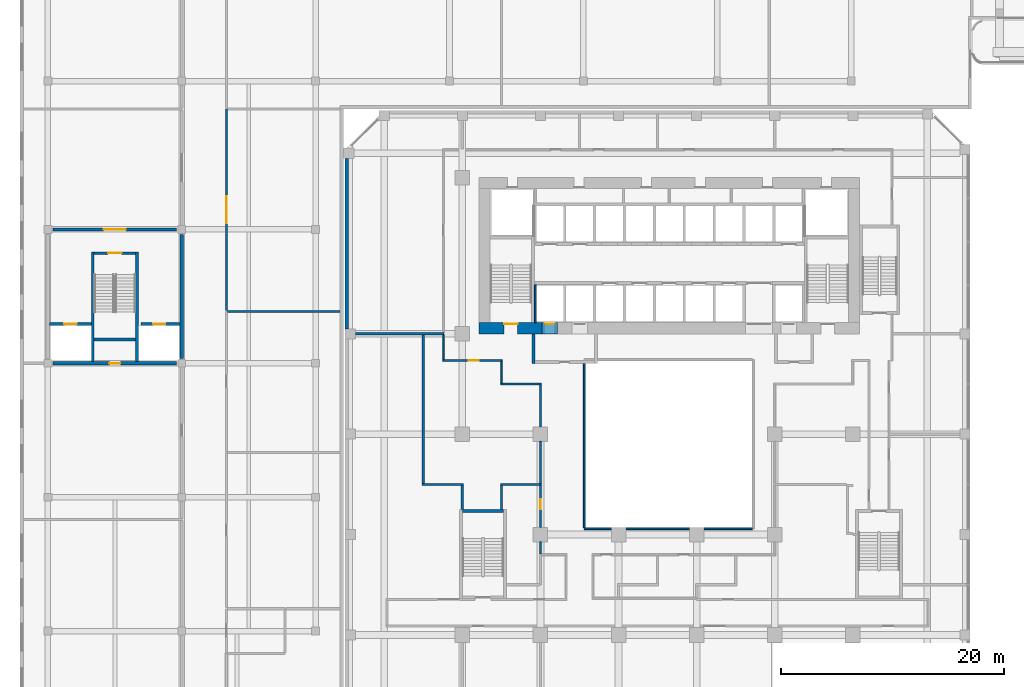
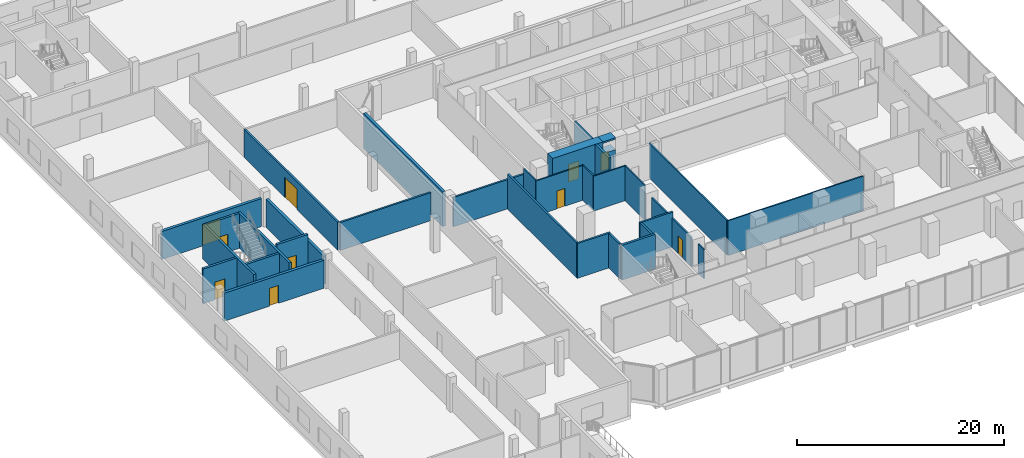
# One storey, part 17 of 36: 34 walls, 10 doors, 10 openings.
"""IFC4 building model written with IfcOpenShell, lengths in metres."""

from ifc_helpers import new_model, si_unit, direction, frame, frame_2d, origin, place, context, subcontext, project, spatial, rectangle, extrude, source, transform, mapped, material, layer, layer_set, type_object, element, fill, save


model = new_model("IFC4")

# Units and contexts
model_context = context("Model", 3, precision=1e-05, world=origin(), true_north=direction((0.0, 1.0)))
body_context = subcontext(model_context, "Body", "Model", "MODEL_VIEW")
ifc_project = project(units=[si_unit("LENGTHUNIT", "METRE"), si_unit("AREAUNIT", "SQUARE_METRE"), si_unit("VOLUMEUNIT", "CUBIC_METRE"), si_unit("PLANEANGLEUNIT", "RADIAN"), si_unit("MASSUNIT", "GRAM", prefix="KILO")], contexts=[model_context])

# Site, building, storey
site_placement = place(None, origin())
site = spatial("IfcSite", under=ifc_project, at=site_placement, CompositionType="ELEMENT")
building_placement = place(site_placement, origin())
building = spatial("IfcBuilding", under=site, at=building_placement, Name="Kilnfold Tower and Market Hall", CompositionType="ELEMENT")
storey_placement = place(building_placement, frame((0.0, 0.0, 18.0)))
storey = spatial("IfcBuildingStorey", under=building, at=storey_placement, Name="L03", CompositionType="ELEMENT", Elevation=18.0)

# Walls
ifc_material_1 = material(Name="Fire-resisting glazed screen")
ifc_layer_1 = layer(ifc_material_1, 0.14990234375)
ifc_layer_set_1 = layer_set([ifc_layer_1], Name="Fire-resisting glazed screen")
wall_type_1 = type_object("IfcWallType", Name="WALL ATRIUM 150", PredefinedType="PARTITIONING", material=ifc_layer_set_1)
wall_1_placement = place(storey_placement, frame((8.5, -9.47509765625, 0.0), z_axis=(0.0, 0.0, 1.0), x_axis=(-1.0, 0.0, 0.0)))
element("IfcWall", 1, at=wall_1_placement, inside=storey, type_object=wall_type_1, Name="Partition LY04.66", PredefinedType="PARTITIONING", context=body_context, shape_type="SweptSolid", body=[
    extrude(rectangle(XDim=15.074951171875, YDim=0.14990234375, at=frame_2d((7.53759765625, 0.0))), origin(), (0.0, 0.0, 1.0), 4.10009765625),
])
wall_2_placement = place(storey_placement, frame((-6.574951171875, -9.39990234375, 0.0), z_axis=(0.0, 0.0, 1.0), x_axis=(0.0, 1.0, 0.0)))
element("IfcWall", 2, at=wall_2_placement, inside=storey, type_object=wall_type_1, Name="Partition LY04.67", PredefinedType="PARTITIONING", context=body_context, shape_type="SweptSolid", body=[
    extrude(rectangle(XDim=15.0, YDim=0.14990234375, at=frame_2d((7.5, 0.0))), origin(), (0.0, 0.0, 1.0), 4.10009765625),
])
ifc_material_2 = material(Name="Gypsum board on steel studs", Category="steel")
ifc_layer_2 = layer(ifc_material_2, 0.14990234375)
ifc_layer_set_2 = layer_set([ifc_layer_2], Name="Gypsum board on steel studs")
wall_type_2 = type_object("IfcWallType", Name="WALL CORRIDOR 150", PredefinedType="PARTITIONING", material=ifc_layer_set_2)
wall_3_placement = place(storey_placement, frame((-10.5, -5.409912109375, 0.0), z_axis=(0.0, 0.0, 1.0), x_axis=(0.0, 1.0, 0.0)))
element("IfcWall", 3, at=wall_3_placement, inside=storey, type_object=wall_type_2, Name="Partition LY04.1", PredefinedType="PARTITIONING", context=body_context, shape_type="SweptSolid", body=[
    extrude(rectangle(XDim=3.760009765625, YDim=0.14990234375, at=frame_2d((1.8798828125, 0.0))), origin(), (0.0, 0.0, 1.0), 3.449951171875),
])
wall_4_placement = place(storey_placement, frame((-10.5, -0.35009765625, 0.0), z_axis=(0.0, 0.0, 1.0), x_axis=(0.0, 1.0, 0.0)))
element("IfcWall", 4, at=wall_4_placement, inside=storey, type_object=wall_type_2, Name="Partition LY04.2", PredefinedType="PARTITIONING", context=body_context, shape_type="SweptSolid", body=[
    extrude(rectangle(XDim=3.775146484375, YDim=0.14990234375, at=frame_2d((1.8876953125, 0.0))), origin(), (0.0, 0.0, 1.0), 4.10009765625),
])
wall_5_placement = place(storey_placement, frame((-14.074951171875, 3.5, 0.0), z_axis=(0.0, 0.0, 1.0), x_axis=(1.0, 0.0, 0.0)))
element("IfcWall", 5, at=wall_5_placement, inside=storey, type_object=wall_type_2, Name="Partition LY04.3", PredefinedType="PARTITIONING", context=body_context, shape_type="SweptSolid", body=[
    extrude(rectangle(XDim=3.64990234375, YDim=0.14990234375, at=frame_2d((1.824951171875, 0.0))), origin(), (0.0, 0.0, 1.0), 4.10009765625),
])
wall_6_placement = place(storey_placement, frame((-14.0, 5.52490234375, 0.0), z_axis=(0.0, 0.0, 1.0), x_axis=(0.0, -1.0, 0.0)))
element("IfcWall", 6, at=wall_6_placement, inside=storey, type_object=wall_type_2, Name="Partition LY04.4", PredefinedType="PARTITIONING", context=body_context, shape_type="SweptSolid", body=[
    extrude(rectangle(XDim=1.949951171875, YDim=0.14990234375, at=frame_2d((0.97509765625, 0.0))), origin(), (0.0, 0.0, 1.0), 4.10009765625),
])

# Wall, opening, door
wall_7_placement = place(storey_placement, frame((-19.27490234375, 5.60009765625, 0.0), z_axis=(0.0, 0.0, 1.0), x_axis=(1.0, 0.0, 0.0)))
wall_7 = element("IfcWall", 7, at=wall_7_placement, inside=storey, type_object=wall_type_2, Name="Partition LY04.5", PredefinedType="PARTITIONING", context=body_context, shape_type="SweptSolid", body=[
    extrude(rectangle(XDim=5.349853515625, YDim=0.14990234375, at=frame_2d((2.6748046875, 0.0))), origin(), (0.0, 0.0, 1.0), 4.10009765625),
])
opening_1_placement = place(wall_7_placement, frame((2.325927734375, 0.0, 0.0)))
opening_1 = element("IfcOpeningElement", 8, at=opening_1_placement, cuts=wall_7, Name="Opening D2", PredefinedType="OPENING", context=body_context, shape_type="SweptSolid", body=[
    extrude(rectangle(XDim=0.89990234375, YDim=2.10009765625, at=frame_2d((0.449951171875, 1.050048828125))), frame((0.0, 0.0849609375, 0.0), z_axis=(0.0, -1.0, 0.0), x_axis=(1.0, 0.0, 0.0)), (0.0, 0.0, 1.0), 0.169921875),
])
ifc_material_3 = material(Name="Timber veneer door leaf in steel frame", Category="steel")
door_type_1 = type_object("IfcDoorType", Name="DOOR ROOM 900 X2100", OperationType="NOTDEFINED", PredefinedType="DOOR", material=ifc_material_3)
door_1_placement = place(opening_1_placement, origin())
door_1 = element("IfcDoor", 9, at=door_1_placement, inside=storey, type_object=door_type_1, Name="Door D2", OperationType="SINGLE_SWING_RIGHT", OverallHeight=2.10009765625, OverallWidth=0.89990234375, PredefinedType="DOOR", context=body_context, shape_type="SweptSolid", body=[
    extrude(rectangle(XDim=0.89990234375, YDim=2.10009765625, at=frame_2d((0.449951171875, 1.050048828125))), frame((0.0, 0.02490234375, 0.0), z_axis=(0.0, -1.0, 0.0), x_axis=(1.0, 0.0, 0.0)), (0.0, 0.0, 1.0), 0.050048828125),
])
fill(opening_1, door_1)

# Walls
wall_8_placement = place(storey_placement, frame((-19.199951171875, 5.675048828125, 0.0), z_axis=(0.0, 0.0, 1.0), x_axis=(0.0, 1.0, 0.0)))
element("IfcWall", 10, at=wall_8_placement, inside=storey, type_object=wall_type_2, Name="Partition LY04.6", PredefinedType="PARTITIONING", context=body_context, shape_type="SweptSolid", body=[
    extrude(rectangle(XDim=2.23486328125, YDim=0.14990234375, at=frame_2d((1.117431640625, 0.0))), origin(), (0.0, 0.0, 1.0), 4.10009765625),
])
wall_9_placement = place(storey_placement, frame((-10.5, -11.72509765625, 0.0), z_axis=(0.0, 0.0, 1.0), x_axis=(0.0, 1.0, 0.0)))
element("IfcWall", 11, at=wall_9_placement, inside=storey, type_object=wall_type_2, Name="Partition LY04.11", PredefinedType="PARTITIONING", context=body_context, shape_type="SweptSolid", body=[
    extrude(rectangle(XDim=1.0751953125, YDim=0.14990234375, at=frame_2d((0.53759765625, 0.0))), origin(), (0.0, 0.0, 1.0), 3.449951171875),
])

# Wall, opening, door
wall_10_placement = place(storey_placement, frame((-10.5, -9.35009765625, 0.0), z_axis=(0.0, 0.0, 1.0), x_axis=(0.0, 1.0, 0.0)))
wall_10 = element("IfcWall", 12, at=wall_10_placement, inside=storey, type_object=wall_type_2, Name="Partition LY04.12", PredefinedType="PARTITIONING", context=body_context, shape_type="SweptSolid", body=[
    extrude(rectangle(XDim=3.760009765625, YDim=0.14990234375, at=frame_2d((1.8798828125, 0.0))), origin(), (0.0, 0.0, 1.0), 3.449951171875),
])
opening_2_placement = place(wall_10_placement, frame((1.635009765625, 0.0, 0.0)))
opening_2 = element("IfcOpeningElement", 13, at=opening_2_placement, cuts=wall_10, Name="Opening D3", PredefinedType="OPENING", context=body_context, shape_type="SweptSolid", body=[
    extrude(rectangle(XDim=0.89990234375, YDim=2.10009765625, at=frame_2d((0.449951171875, 1.050048828125))), frame((0.0, 0.0849609375, 0.0), z_axis=(0.0, -1.0, 0.0), x_axis=(1.0, 0.0, 0.0)), (0.0, 0.0, 1.0), 0.169921875),
])
ifc_material_4 = material(Name="Timber veneer door leaf in steel frame", Category="steel")
door_type_2 = type_object("IfcDoorType", Name="DOOR WC 900 X2100", OperationType="NOTDEFINED", PredefinedType="DOOR", material=ifc_material_4)
door_2_placement = place(opening_2_placement, origin())
door_2 = element("IfcDoor", 14, at=door_2_placement, inside=storey, type_object=door_type_2, Name="Door D3", OperationType="SINGLE_SWING_LEFT", OverallHeight=2.10009765625, OverallWidth=0.89990234375, PredefinedType="DOOR", context=body_context, shape_type="SweptSolid", body=[
    extrude(rectangle(XDim=0.89990234375, YDim=2.10009765625, at=frame_2d((0.449951171875, 1.050048828125))), frame((0.0, 0.02490234375, 0.0), z_axis=(0.0, -1.0, 0.0), x_axis=(1.0, 0.0, 0.0)), (0.0, 0.0, 1.0), 0.050048828125),
])
fill(opening_2, door_2)

# Walls
ifc_material_5 = material(Name="Gypsum board on steel studs", Category="steel")
ifc_layer_3 = layer(ifc_material_5, 0.199951171875)
ifc_layer_set_3 = layer_set([ifc_layer_3], Name="Gypsum board on steel studs")
wall_type_3 = type_object("IfcWallType", Name="WALL PARTY 200", PredefinedType="PARTITIONING", material=ifc_layer_set_3)
wall_11_placement = place(storey_placement, frame((-21.0, 7.89990234375, 0.0), z_axis=(0.0, 0.0, 1.0), x_axis=(0.0, -1.0, 0.0)))
element("IfcWall", 15, at=wall_11_placement, inside=storey, type_object=wall_type_3, Name="Partition LY04.38", PredefinedType="PARTITIONING", context=body_context, shape_type="SweptSolid", body=[
    extrude(rectangle(XDim=13.2998046875, YDim=0.199951171875, at=frame_2d((6.64990234375, 0.0))), origin(), (0.0, 0.0, 1.0), 4.10009765625),
])
wall_12_placement = place(storey_placement, frame((-17.5, -7.75, 0.0), z_axis=(0.0, 0.0, 1.0), x_axis=(0.0, 1.0, 0.0)))
element("IfcWall", 16, at=wall_12_placement, inside=storey, type_object=wall_type_3, Name="Partition LY04.39", PredefinedType="PARTITIONING", context=body_context, shape_type="SweptSolid", body=[
    extrude(rectangle(XDim=2.14990234375, YDim=0.199951171875, at=frame_2d((1.074951171875, 0.0))), origin(), (0.0, 0.0, 1.0), 4.10009765625),
])
wall_13_placement = place(storey_placement, frame((-21.10009765625, -5.5, 0.0), z_axis=(0.0, 0.0, 1.0), x_axis=(1.0, 0.0, 0.0)))
element("IfcWall", 17, at=wall_13_placement, inside=storey, type_object=wall_type_3, Name="Partition LY04.40", PredefinedType="PARTITIONING", context=body_context, shape_type="SweptSolid", body=[
    extrude(rectangle(XDim=3.7001953125, YDim=0.199951171875, at=frame_2d((1.85009765625, 0.0))), origin(), (0.0, 0.0, 1.0), 4.10009765625),
])
wall_14_placement = place(storey_placement, frame((-14.10009765625, -5.5, 0.0), z_axis=(0.0, 0.0, 1.0), x_axis=(1.0, 0.0, 0.0)))
element("IfcWall", 18, at=wall_14_placement, inside=storey, type_object=wall_type_3, Name="Partition LY04.41", PredefinedType="PARTITIONING", context=body_context, shape_type="SweptSolid", body=[
    extrude(rectangle(XDim=3.674072265625, YDim=0.199951171875, at=frame_2d((1.8369140625, 0.0))), origin(), (0.0, 0.0, 1.0), 4.10009765625),
])
wall_15_placement = place(storey_placement, frame((-14.0, -7.75, 0.0), z_axis=(0.0, 0.0, 1.0), x_axis=(0.0, 1.0, 0.0)))
element("IfcWall", 19, at=wall_15_placement, inside=storey, type_object=wall_type_3, Name="Partition LY04.42", PredefinedType="PARTITIONING", context=body_context, shape_type="SweptSolid", body=[
    extrude(rectangle(XDim=2.14990234375, YDim=0.199951171875, at=frame_2d((1.074951171875, 0.0))), origin(), (0.0, 0.0, 1.0), 4.10009765625),
])
wall_16_placement = place(storey_placement, frame((-27.10009765625, 8.0, 0.0), z_axis=(0.0, 0.0, 1.0), x_axis=(1.0, 0.0, 0.0)))
element("IfcWall", 20, at=wall_16_placement, inside=storey, type_object=wall_type_3, Name="Partition LY04.44", PredefinedType="PARTITIONING", context=body_context, shape_type="SweptSolid", body=[
    extrude(rectangle(XDim=7.97412109375, YDim=0.199951171875, at=frame_2d((3.987060546875, 0.0))), origin(), (0.0, 0.0, 1.0), 3.449951171875),
])

# Wall, opening, door
ifc_material_6 = material(Name="Concrete C80", Category="concrete")
ifc_layer_4 = layer(ifc_material_6, 1.0)
ifc_layer_set_4 = layer_set([ifc_layer_4], Name="Concrete C80")
wall_type_4 = type_object("IfcWallType", Name="CORE WALL 1000 C80", PredefinedType="SHEAR", material=ifc_layer_set_4)
shared_shape_1 = source(origin(), body_context, "Body", "SweptSolid", [
    extrude(rectangle(XDim=5.6298828125, YDim=1.0, at=frame_2d((2.81494140625, 0.0))), origin(), (0.0, 0.0, 1.0), 4.10009765625),
])
wall_17_placement = place(storey_placement, frame((-16.0, 8.5, 0.0), z_axis=(0.0, 0.0, 1.0), x_axis=(1.0, 0.0, 0.0)))
wall_17 = element("IfcWall", 21, at=wall_17_placement, inside=storey, type_object=wall_type_4, Name="Core outer wall south", PredefinedType="SHEAR", context=body_context, shape_type="MappedRepresentation", body=[
    mapped(shared_shape_1, transform((0.0, 0.0, 0.0))),
])
opening_3_placement = place(wall_17_placement, frame((2.25, 0.0, 0.0)))
opening_3 = element("IfcOpeningElement", 22, at=opening_3_placement, cuts=wall_17, Name="Opening SD1", PredefinedType="OPENING", context=body_context, shape_type="SweptSolid", body=[
    extrude(rectangle(XDim=1.199951171875, YDim=2.10009765625, at=frame_2d((0.60009765625, 1.050048828125))), frame((0.0, 0.510009765625, 0.0), z_axis=(0.0, -1.0, 0.0), x_axis=(1.0, 0.0, 0.0)), (0.0, 0.0, 1.0), 1.02001953125),
])
ifc_material_7 = material(Name="Steel door set with fire-resisting leaf", Category="steel")
door_type_3 = type_object("IfcDoorType", Name="STAIR FLOOR DOOR 1200X2100", OperationType="NOTDEFINED", PredefinedType="DOOR", material=ifc_material_7)
door_3_placement = place(opening_3_placement, origin())
door_3 = element("IfcDoor", 23, at=door_3_placement, inside=storey, type_object=door_type_3, Name="Exit stair ST1 door", OperationType="DOUBLE_DOOR_SINGLE_SWING", OverallHeight=2.10009765625, OverallWidth=1.199951171875, PredefinedType="DOOR", context=body_context, shape_type="SweptSolid", body=[
    extrude(rectangle(XDim=1.199951171875, YDim=2.10009765625, at=frame_2d((0.60009765625, 1.050048828125))), frame((0.0, 0.40478515625, 0.0), z_axis=(0.0, -1.0, 0.0), x_axis=(1.0, 0.0, 0.0)), (0.0, 0.0, 1.0), 0.050048828125),
])
fill(opening_3, door_3)

# Walls
ifc_material_8 = material(Name="Concrete C80", Category="concrete")
ifc_layer_5 = layer(ifc_material_8, 0.25)
ifc_layer_set_5 = layer_set([ifc_layer_5], Name="Concrete C80")
wall_type_5 = type_object("IfcWallType", Name="CORE WALL 250 C80", PredefinedType="SHEAR", material=ifc_layer_set_5)
shared_shape_2 = source(origin(), body_context, "Body", "SweptSolid", [
    extrude(rectangle(XDim=3.699951171875, YDim=0.25, at=frame_2d((1.85009765625, 0.0))), origin(), (0.0, 0.0, 1.0), 4.10009765625),
])
wall_18_placement = place(storey_placement, frame((-17.5, -7.875, 0.0), z_axis=(0.0, 0.0, 1.0), x_axis=(1.0, 0.0, 0.0)))
element("IfcWall", 24, at=wall_18_placement, inside=storey, type_object=wall_type_5, Name="Stair enclosure ST3", PredefinedType="SHEAR", context=body_context, shape_type="MappedRepresentation", body=[
    mapped(shared_shape_2, transform((0.0, 0.0, 0.0))),
])
ifc_material_9 = material(Name="Concrete C50/60", Category="concrete")
ifc_layer_6 = layer(ifc_material_9, 0.25)
ifc_layer_set_6 = layer_set([ifc_layer_6], Name="Concrete C50/60")
wall_type_6 = type_object("IfcWallType", Name="HALL CORE WALL 250", PredefinedType="SHEAR", material=ifc_layer_set_6)
wall_19_placement = place(storey_placement, frame((-50.5, 7.47509765625, 0.0), z_axis=(0.0, 0.0, 1.0), x_axis=(1.0, 0.0, 0.0)))
element("IfcWall", 25, at=wall_19_placement, inside=storey, type_object=wall_type_6, Name="Core wall MH1", PredefinedType="SHEAR", context=body_context, shape_type="MappedRepresentation", body=[
    mapped(shared_shape_2, transform((0.0, 0.0, 0.0))),
])

# Wall, opening, door
wall_20_placement = place(storey_placement, frame((-50.5, 15.22509765625, 0.0), z_axis=(0.0, 0.0, 1.0), x_axis=(1.0, 0.0, 0.0)))
wall_20 = element("IfcWall", 26, at=wall_20_placement, inside=storey, type_object=wall_type_6, Name="Core wall MH1", PredefinedType="SHEAR", context=body_context, shape_type="MappedRepresentation", body=[
    mapped(shared_shape_2, transform((0.0, 0.0, 0.0))),
])
opening_4_placement = place(wall_20_placement, frame((1.25, 0.0, 0.0)))
opening_4 = element("IfcOpeningElement", 27, at=opening_4_placement, cuts=wall_20, Name="Opening MD9-60", PredefinedType="OPENING", context=body_context, shape_type="SweptSolid", body=[
    extrude(rectangle(XDim=1.199951171875, YDim=2.10009765625, at=frame_2d((0.60009765625, 1.050048828125))), frame((0.0, 0.135009765625, 0.0), z_axis=(0.0, -1.0, 0.0), x_axis=(1.0, 0.0, 0.0)), (0.0, 0.0, 1.0), 0.27001953125),
])
ifc_material_10 = material(Name="Steel S355", Category="steel")
door_type_4 = type_object("IfcDoorType", Name="HALL DOOR STAIR 1200X2100 FD60", OperationType="NOTDEFINED", PredefinedType="DOOR", material=ifc_material_10)
door_4_placement = place(opening_4_placement, origin())
door_4 = element("IfcDoor", 28, at=door_4_placement, inside=storey, type_object=door_type_4, Name="Door MD9-60", OperationType="DOUBLE_DOOR_SINGLE_SWING", OverallHeight=2.10009765625, OverallWidth=1.199951171875, PredefinedType="DOOR", context=body_context, shape_type="SweptSolid", body=[
    extrude(rectangle(XDim=1.199951171875, YDim=2.10009765625, at=frame_2d((0.60009765625, 1.050048828125))), frame((0.0, 0.02490234375, 0.0), z_axis=(0.0, -1.0, 0.0), x_axis=(1.0, 0.0, 0.0)), (0.0, 0.0, 1.0), 0.050048828125),
])
fill(opening_4, door_4)

# Walls
shared_shape_3 = source(origin(), body_context, "Body", "SweptSolid", [
    extrude(rectangle(XDim=1.400146484375, YDim=1.0, at=frame_2d((0.7001953125, 0.0))), origin(), (0.0, 0.0, 1.0), 0.2001953125),
])
wall_21_placement = place(storey_placement, frame((-10.3701171875, 8.5, 3.89990234375), z_axis=(0.0, 0.0, 1.0), x_axis=(1.0, 0.0, 0.0)))
element("IfcWall", 29, at=wall_21_placement, inside=storey, type_object=wall_type_4, Name="Core wall over opening", PredefinedType="SHEAR", context=body_context, shape_type="MappedRepresentation", body=[
    mapped(shared_shape_3, transform((0.0, 0.0, 0.0))),
])
shared_shape_4 = source(origin(), body_context, "Body", "SweptSolid", [
    extrude(rectangle(XDim=9.85009765625, YDim=0.25, at=frame_2d((4.925048828125, 0.0))), origin(), (0.0, 0.0, 1.0), 4.10009765625),
])
for number, where, z_axis, x_axis, name in (
    (30, (-50.625, 5.5, 0.0), (0.0, 0.0, 1.0), (0.0, 1.0, 0.0), "Core wall MH1"),
    (31, (-46.675048828125, 5.5, 0.0), (0.0, 0.0, 1.0), (0.0, 1.0, 0.0), "Core wall MH1"),
):
    element("IfcWall", number, at=place(storey_placement, frame(where, z_axis=z_axis, x_axis=x_axis)), inside=storey, type_object=wall_type_6, Name=name, PredefinedType="SHEAR", context=body_context, shape_type="MappedRepresentation", body=[
        mapped(shared_shape_4, transform((0.0, 0.0, 0.0))),
    ])

# Wall, opening, door
shared_shape_5 = source(origin(), body_context, "Body", "SweptSolid", [
    extrude(rectangle(XDim=3.75, YDim=0.25, at=frame_2d((1.875, 0.0))), origin(), (0.0, 0.0, 1.0), 4.10009765625),
])
wall_22_placement = place(storey_placement, frame((-54.5, 8.875, 0.0), z_axis=(0.0, 0.0, 1.0), x_axis=(1.0, 0.0, 0.0)))
wall_22 = element("IfcWall", 32, at=wall_22_placement, inside=storey, type_object=wall_type_6, Name="Core wall MH1", PredefinedType="SHEAR", context=body_context, shape_type="MappedRepresentation", body=[
    mapped(shared_shape_5, transform((0.0, 0.0, 0.0))),
])
opening_5_placement = place(wall_22_placement, frame((1.324951171875, 0.0, 0.0)))
opening_5 = element("IfcOpeningElement", 33, at=opening_5_placement, cuts=wall_22, Name="Opening LD", PredefinedType="OPENING", context=body_context, shape_type="SweptSolid", body=[
    extrude(rectangle(XDim=1.10009765625, YDim=2.10009765625, at=frame_2d((0.550048828125, 1.050048828125))), frame((0.0, 0.135009765625, 0.0), z_axis=(0.0, -1.0, 0.0), x_axis=(1.0, 0.0, 0.0)), (0.0, 0.0, 1.0), 0.27001953125),
])
ifc_material_11 = material(Name="Steel S355", Category="steel")
door_type_5 = type_object("IfcDoorType", Name="HALL LANDING DOOR 1100X2100 FD60", OperationType="NOTDEFINED", PredefinedType="DOOR", material=ifc_material_11)
door_5_placement = place(opening_5_placement, origin())
door_5 = element("IfcDoor", 34, at=door_5_placement, inside=storey, type_object=door_type_5, Name="Door LD", OperationType="SLIDING_TO_LEFT", OverallHeight=2.10009765625, OverallWidth=1.10009765625, PredefinedType="DOOR", context=body_context, shape_type="SweptSolid", body=[
    extrude(rectangle(XDim=1.10009765625, YDim=2.10009765625, at=frame_2d((0.550048828125, 1.050048828125))), frame((0.0, 0.02490234375, 0.0), z_axis=(0.0, -1.0, 0.0), x_axis=(1.0, 0.0, 0.0)), (0.0, 0.0, 1.0), 0.050048828125),
])
fill(opening_5, door_5)

shared_shape_6 = source(origin(), body_context, "Body", "SweptSolid", [
    extrude(rectangle(XDim=3.5, YDim=0.25, at=frame_2d((1.75, 0.0))), origin(), (0.0, 0.0, 1.0), 4.10009765625),
])
wall_23_placement = place(storey_placement, frame((-46.300048828125, 8.875, 0.0), z_axis=(0.0, 0.0, 1.0), x_axis=(1.0, 0.0, 0.0)))
wall_23 = element("IfcWall", 35, at=wall_23_placement, inside=storey, type_object=wall_type_6, Name="Core wall MH1", PredefinedType="SHEAR", context=body_context, shape_type="MappedRepresentation", body=[
    mapped(shared_shape_6, transform((0.0, 0.0, 0.0))),
])
opening_6_placement = place(wall_23_placement, frame((1.074951171875, 0.0, 0.0)))
opening_6 = element("IfcOpeningElement", 36, at=opening_6_placement, cuts=wall_23, Name="Opening LD", PredefinedType="OPENING", context=body_context, shape_type="SweptSolid", body=[
    extrude(rectangle(XDim=1.10009765625, YDim=2.10009765625, at=frame_2d((0.550048828125, 1.050048828125))), frame((0.0, 0.135009765625, 0.0), z_axis=(0.0, -1.0, 0.0), x_axis=(1.0, 0.0, 0.0)), (0.0, 0.0, 1.0), 0.27001953125),
])
door_6_placement = place(opening_6_placement, origin())
door_6 = element("IfcDoor", 37, at=door_6_placement, inside=storey, type_object=door_type_5, Name="Door LD", OperationType="SLIDING_TO_LEFT", OverallHeight=2.10009765625, OverallWidth=1.10009765625, PredefinedType="DOOR", context=body_context, shape_type="SweptSolid", body=[
    extrude(rectangle(XDim=1.10009765625, YDim=2.10009765625, at=frame_2d((0.550048828125, 1.050048828125))), frame((0.0, 0.02490234375, 0.0), z_axis=(0.0, -1.0, 0.0), x_axis=(1.0, 0.0, 0.0)), (0.0, 0.0, 1.0), 0.050048828125),
])
fill(opening_6, door_6)

ifc_material_12 = material(Name="Concrete C50/60", Category="concrete")
ifc_layer_7 = layer(ifc_material_12, 0.300048828125)
ifc_layer_set_7 = layer_set([ifc_layer_7], Name="Concrete C50/60")
wall_type_7 = type_object("IfcWallType", Name="HALL CORE WALL 300", PredefinedType="SHEAR", material=ifc_layer_set_7)
shared_shape_7 = source(origin(), body_context, "Body", "SweptSolid", [
    extrude(rectangle(XDim=11.099853515625, YDim=0.300048828125, at=frame_2d((5.5498046875, 0.0))), origin(), (0.0, 0.0, 1.0), 3.300048828125),
])
wall_24_placement = place(storey_placement, frame((-54.199951171875, 5.35009765625, 0.0), z_axis=(0.0, 0.0, 1.0), x_axis=(1.0, 0.0, 0.0)))
wall_24 = element("IfcWall", 38, at=wall_24_placement, inside=storey, type_object=wall_type_7, Name="Core wall MH1", PredefinedType="SHEAR", context=body_context, shape_type="MappedRepresentation", body=[
    mapped(shared_shape_7, transform((0.0, 0.0, 0.0))),
])
opening_7_placement = place(wall_24_placement, frame((5.050048828125, 0.0, 0.0)))
opening_7 = element("IfcOpeningElement", 39, at=opening_7_placement, cuts=wall_24, Name="Opening MD4-60", PredefinedType="OPENING", context=body_context, shape_type="SweptSolid", body=[
    extrude(rectangle(XDim=1.0, YDim=2.10009765625, at=frame_2d((0.5, 1.050048828125))), frame((0.0, 0.16015625, 0.0), z_axis=(0.0, -1.0, 0.0), x_axis=(1.0, 0.0, 0.0)), (0.0, 0.0, 1.0), 0.320068359375),
])
ifc_material_13 = material(Name="Steel S355", Category="steel")
door_type_6 = type_object("IfcDoorType", Name="HALL DOOR RISER 1000X2100 FD60", OperationType="NOTDEFINED", PredefinedType="DOOR", material=ifc_material_13)
door_7_placement = place(opening_7_placement, origin())
door_7 = element("IfcDoor", 40, at=door_7_placement, inside=storey, type_object=door_type_6, Name="Door MD4-60", OperationType="SINGLE_SWING_RIGHT", OverallHeight=2.10009765625, OverallWidth=1.0, PredefinedType="DOOR", context=body_context, shape_type="SweptSolid", body=[
    extrude(rectangle(XDim=1.0, YDim=2.10009765625, at=frame_2d((0.5, 1.050048828125))), frame((0.0, 0.02490234375, 0.0), z_axis=(0.0, -1.0, 0.0), x_axis=(1.0, 0.0, 0.0)), (0.0, 0.0, 1.0), 0.050048828125),
])
fill(opening_7, door_7)

wall_25_placement = place(storey_placement, frame((-54.199951171875, 17.35009765625, 0.0), z_axis=(0.0, 0.0, 1.0), x_axis=(1.0, 0.0, 0.0)))
wall_25 = element("IfcWall", 41, at=wall_25_placement, inside=storey, type_object=wall_type_7, Name="Core wall MH1", PredefinedType="SHEAR", context=body_context, shape_type="MappedRepresentation", body=[
    mapped(shared_shape_7, transform((0.0, 0.0, 0.0))),
])
opening_8_placement = place(wall_25_placement, frame((4.550048828125, 0.0, 0.0)))
opening_8 = element("IfcOpeningElement", 42, at=opening_8_placement, cuts=wall_25, Name="Opening MD10-60", PredefinedType="OPENING", context=body_context, shape_type="SweptSolid", body=[
    extrude(rectangle(XDim=2.0, YDim=2.39990234375, at=frame_2d((1.0, 1.199951171875))), frame((0.0, 0.16015625, 0.0), z_axis=(0.0, -1.0, 0.0), x_axis=(1.0, 0.0, 0.0)), (0.0, 0.0, 1.0), 0.320068359375),
])
ifc_material_14 = material(Name="Aluminium glazing", Category="aluminium")
door_type_7 = type_object("IfcDoorType", Name="HALL DOOR LOBBY 2000X2400 FD60", OperationType="NOTDEFINED", PredefinedType="DOOR", material=ifc_material_14)
door_8_placement = place(opening_8_placement, origin())
door_8 = element("IfcDoor", 43, at=door_8_placement, inside=storey, type_object=door_type_7, Name="Door MD10-60", OperationType="DOUBLE_DOOR_SINGLE_SWING", OverallHeight=2.39990234375, OverallWidth=2.0, PredefinedType="DOOR", context=body_context, shape_type="SweptSolid", body=[
    extrude(rectangle(XDim=2.0, YDim=2.39990234375, at=frame_2d((1.0, 1.199951171875))), frame((0.0, 0.02490234375, 0.0), z_axis=(0.0, -1.0, 0.0), x_axis=(1.0, 0.0, 0.0)), (0.0, 0.0, 1.0), 0.050048828125),
])
fill(opening_8, door_8)

# Walls
wall_26_placement = place(storey_placement, frame((-42.64990234375, 5.800048828125, 0.0), z_axis=(0.0, 0.0, 1.0), x_axis=(0.0, 1.0, 0.0)))
element("IfcWall", 44, at=wall_26_placement, inside=storey, type_object=wall_type_7, Name="Core wall MH1", PredefinedType="SHEAR", context=body_context, shape_type="MappedRepresentation", body=[
    mapped(shared_shape_7, transform((0.0, 0.0, 0.0))),
])
ifc_material_15 = material(Name="Precast concrete C50/60", Category="concrete")
ifc_layer_8 = layer(ifc_material_15, 0.300048828125)
ifc_layer_set_8 = layer_set([ifc_layer_8], Name="Precast concrete C50/60")
wall_type_8 = type_object("IfcWallType", Name="PRECAST WALL 300", PredefinedType="SOLIDWALL", material=ifc_layer_set_8)
shared_shape_8 = source(origin(), body_context, "Body", "SweptSolid", [
    extrude(rectangle(XDim=15.28173828125, YDim=0.300048828125, at=frame_2d((7.640869140625, 0.0))), origin(), (0.0, 0.0, 1.0), 4.10009765625),
])
wall_27_placement = place(storey_placement, frame((-27.85009765625, 23.731689453125, 0.0), z_axis=(0.0, 0.0, 1.0), x_axis=(0.0, -1.0, 0.0)))
element("IfcWall", 45, at=wall_27_placement, inside=storey, type_object=wall_type_8, Name="Party wall L03 W", PredefinedType="SOLIDWALL", context=body_context, shape_type="MappedRepresentation", body=[
    mapped(shared_shape_8, transform((0.0, 0.0, 0.0))),
])
ifc_material_16 = material(Name="Gypsum shaft wall system")
ifc_layer_9 = layer(ifc_material_16, 0.25)
ifc_layer_set_9 = layer_set([ifc_layer_9], Name="Gypsum shaft wall system")
wall_type_9 = type_object("IfcWallType", Name="LOBBY WALL 250", PredefinedType="PARTITIONING", material=ifc_layer_set_9)
shared_shape_9 = source(origin(), body_context, "Body", "SweptSolid", [
    extrude(rectangle(XDim=2.64990234375, YDim=0.25, at=frame_2d((1.324951171875, 0.0))), origin(), (0.0, 0.0, 1.0), 4.10009765625),
])
wall_28_placement = place(storey_placement, frame((-11.135009765625, 5.35009765625, 0.0), z_axis=(0.0, 0.0, 1.0), x_axis=(0.0, 1.0, 0.0)))
element("IfcWall", 46, at=wall_28_placement, inside=storey, type_object=wall_type_9, Name="Firefighting lobby wall", PredefinedType="PARTITIONING", context=body_context, shape_type="MappedRepresentation", body=[
    mapped(shared_shape_9, transform((0.0, 0.0, 0.0))),
])
ifc_material_17 = material(Name="Gypsum shaft wall system")
ifc_layer_10 = layer(ifc_material_17, 0.1650390625)
ifc_layer_set_10 = layer_set([ifc_layer_10], Name="Gypsum shaft wall system")
wall_type_10 = type_object("IfcWallType", Name="SHAFT WALL 165", PredefinedType="PARTITIONING", material=ifc_layer_set_10)
shared_shape_10 = source(origin(), body_context, "Body", "SweptSolid", [
    extrude(rectangle(XDim=3.39990234375, YDim=0.1650390625, at=frame_2d((1.699951171875, 0.0))), origin(), (0.0, 0.0, 1.0), 4.10009765625),
])
wall_29_placement = place(storey_placement, frame((-10.967529296875, 9.0, 0.0), z_axis=(0.0, 0.0, 1.0), x_axis=(0.0, 1.0, 0.0)))
element("IfcWall", 47, at=wall_29_placement, inside=storey, type_object=wall_type_10, Name="Lift shaft wall", PredefinedType="PARTITIONING", context=body_context, shape_type="MappedRepresentation", body=[
    mapped(shared_shape_10, transform((0.0, 0.0, 0.0))),
])

# Wall, opening, door
ifc_material_18 = material(Name="Gypsum shaft wall system")
ifc_layer_11 = layer(ifc_material_18, 1.0)
ifc_layer_set_11 = layer_set([ifc_layer_11], Name="Gypsum shaft wall system")
wall_type_11 = type_object("IfcWallType", Name="LOBBY WALL 1000", PredefinedType="PARTITIONING", material=ifc_layer_set_11)
shared_shape_11 = source(origin(), body_context, "Body", "SweptSolid", [
    extrude(rectangle(XDim=1.400146484375, YDim=1.0, at=frame_2d((0.7001953125, 0.0))), origin(), (0.0, 0.0, 1.0), 2.699951171875),
])
wall_30_placement = place(storey_placement, frame((-10.3701171875, 8.5, 0.0), z_axis=(0.0, 0.0, 1.0), x_axis=(1.0, 0.0, 0.0)))
wall_30 = element("IfcWall", 48, at=wall_30_placement, inside=storey, type_object=wall_type_11, Name="Core wall infill", PredefinedType="PARTITIONING", context=body_context, shape_type="MappedRepresentation", body=[
    mapped(shared_shape_11, transform((0.0, 0.0, 0.0))),
])
opening_9_placement = place(wall_30_placement, frame((0.25, 0.0, 0.0)))
opening_9 = element("IfcOpeningElement", 49, at=opening_9_placement, cuts=wall_30, Name="Opening LD1", PredefinedType="OPENING", context=body_context, shape_type="SweptSolid", body=[
    extrude(rectangle(XDim=0.89990234375, YDim=2.10009765625, at=frame_2d((0.449951171875, 1.050048828125))), frame((0.0, 0.510009765625, 0.0), z_axis=(0.0, -1.0, 0.0), x_axis=(1.0, 0.0, 0.0)), (0.0, 0.0, 1.0), 1.02001953125),
])
ifc_material_19 = material(Name="Steel door set with fire-resisting leaf", Category="steel")
door_type_8 = type_object("IfcDoorType", Name="FIREFIGHTING LANDING DOOR 900X2100", OperationType="NOTDEFINED", PredefinedType="DOOR", material=ifc_material_19)
door_9_placement = place(opening_9_placement, origin())
door_9 = element("IfcDoor", 50, at=door_9_placement, inside=storey, type_object=door_type_8, Name="Landing door FF1", OperationType="SLIDING_TO_LEFT", OverallHeight=2.10009765625, OverallWidth=0.89990234375, PredefinedType="DOOR", context=body_context, shape_type="SweptSolid", body=[
    extrude(rectangle(XDim=0.89990234375, YDim=2.10009765625, at=frame_2d((0.449951171875, 1.050048828125))), frame((0.0, 0.40478515625, 0.0), z_axis=(0.0, -1.0, 0.0), x_axis=(1.0, 0.0, 0.0)), (0.0, 0.0, 1.0), 0.050048828125),
])
fill(opening_9, door_9)

# Wall
ifc_material_20 = material(Name="Concrete blockwork", Category="masonry")
ifc_layer_12 = layer(ifc_material_20, 0.199951171875)
ifc_layer_set_12 = layer_set([ifc_layer_12], Name="Concrete blockwork")
wall_type_12 = type_object("IfcWallType", Name="HALL PARTITION 200 EI 60", PredefinedType="PARTITIONING", material=ifc_layer_set_12)
shared_shape_12 = source(origin(), body_context, "Body", "SweptSolid", [
    extrude(rectangle(XDim=10.10009765625, YDim=0.199951171875, at=frame_2d((5.050048828125, 0.0))), origin(), (0.0, 0.0, 1.0), 3.300048828125),
])
wall_31_placement = place(storey_placement, frame((-38.550048828125, 10.0, 0.0), z_axis=(0.0, 0.0, 1.0), x_axis=(1.0, 0.0, 0.0)))
element("IfcWall", 51, at=wall_31_placement, inside=storey, type_object=wall_type_12, Name="Partition W-MH-L03.25", PredefinedType="PARTITIONING", context=body_context, shape_type="MappedRepresentation", body=[
    mapped(shared_shape_12, transform((0.0, 0.0, 0.0))),
])

# Wall, opening, door
shared_shape_13 = source(origin(), body_context, "Body", "SweptSolid", [
    extrude(rectangle(XDim=18.0498046875, YDim=0.199951171875, at=frame_2d((9.02490234375, 0.0))), origin(), (0.0, 0.0, 1.0), 3.300048828125),
])
wall_32_placement = place(storey_placement, frame((-38.64990234375, 28.14990234375, 0.0), z_axis=(0.0, 0.0, 1.0), x_axis=(0.0, -1.0, 0.0)))
wall_32 = element("IfcWall", 52, at=wall_32_placement, inside=storey, type_object=wall_type_12, Name="Partition W-MH-L03.26", PredefinedType="PARTITIONING", context=body_context, shape_type="MappedRepresentation", body=[
    mapped(shared_shape_13, transform((0.0, 0.0, 0.0))),
])
opening_10_placement = place(wall_32_placement, frame((7.824951171875, 0.0, 0.0)))
opening_10 = element("IfcOpeningElement", 53, at=opening_10_placement, cuts=wall_32, Name="Opening MD7-60", PredefinedType="OPENING", context=body_context, shape_type="SweptSolid", body=[
    extrude(rectangle(XDim=2.39990234375, YDim=2.39990234375, at=frame_2d((1.199951171875, 1.199951171875))), frame((0.0, 0.10986328125, 0.0), z_axis=(0.0, -1.0, 0.0), x_axis=(1.0, 0.0, 0.0)), (0.0, 0.0, 1.0), 0.219970703125),
])
ifc_material_21 = material(Name="Aluminium glazing", Category="aluminium")
door_type_9 = type_object("IfcDoorType", Name="HALL DOOR HALL 2400X2400 FD60", OperationType="NOTDEFINED", PredefinedType="DOOR", material=ifc_material_21)
door_10_placement = place(opening_10_placement, origin())
door_10 = element("IfcDoor", 54, at=door_10_placement, inside=storey, type_object=door_type_9, Name="Door MD7-60", OperationType="DOUBLE_DOOR_SINGLE_SWING", OverallHeight=2.39990234375, OverallWidth=2.39990234375, PredefinedType="DOOR", context=body_context, shape_type="SweptSolid", body=[
    extrude(rectangle(XDim=2.39990234375, YDim=2.39990234375, at=frame_2d((1.199951171875, 1.199951171875))), frame((0.0, 0.02490234375, 0.0), z_axis=(0.0, -1.0, 0.0), x_axis=(1.0, 0.0, 0.0)), (0.0, 0.0, 1.0), 0.050048828125),
])
fill(opening_10, door_10)

save(model, "model.ifc")
